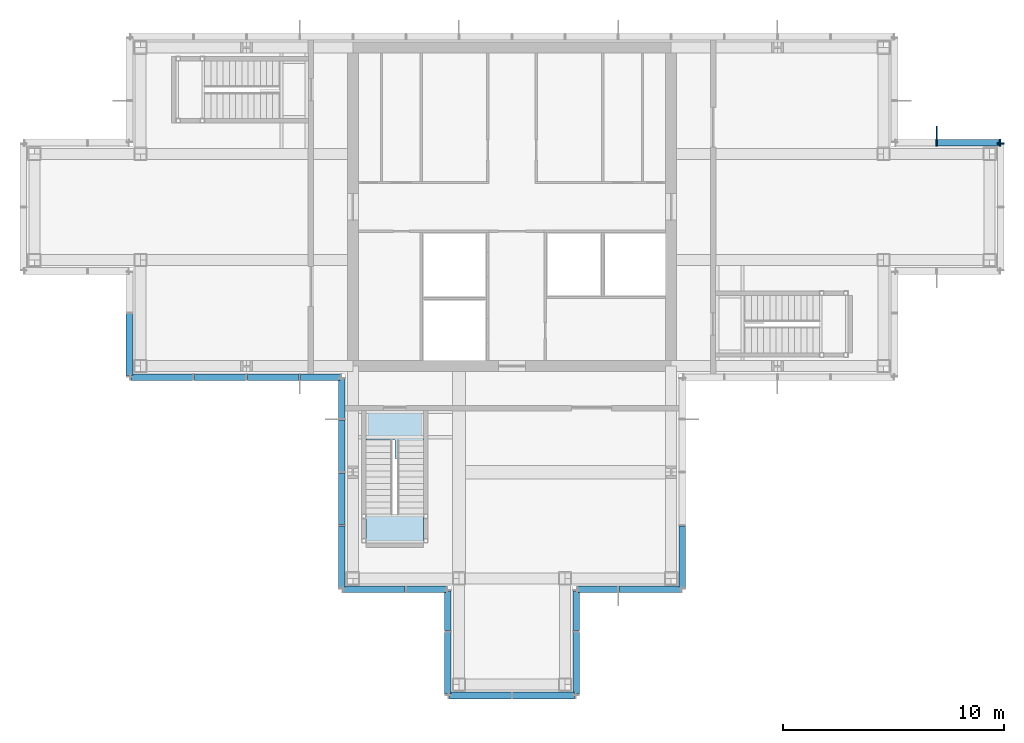
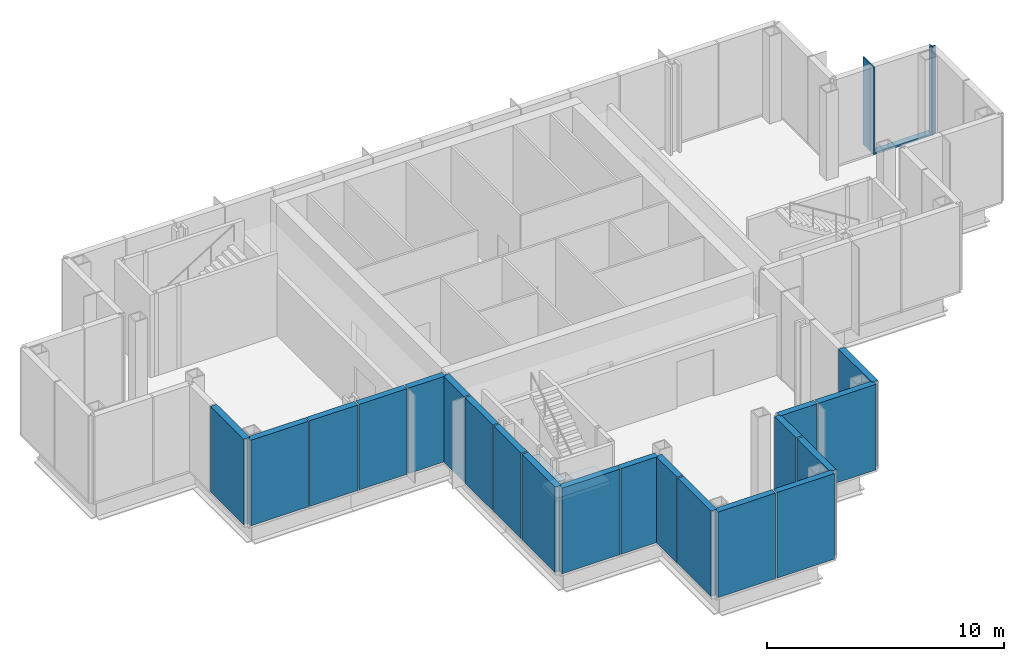
# One storey, part 8 of 12: 20 plates, 5 members, 2 slabs, 12 elements without a shape of their own.
"""IFC4 building model written with IfcOpenShell, lengths in metres."""

from ifc_helpers import new_model, si_unit, direction, frame, origin, origin_2d, place, context, subcontext, project, spatial, polyline, rectangle, outline, extrude, material, layer, layer_set, material_profile, profile_set, type_object, element, aggregate, save


model = new_model("IFC4")

# Units and contexts
model_context = context("Model", 3, precision=1e-05, world=origin(), true_north=direction((0.0, 1.0)))
body_context = subcontext(model_context, "Body", "Model", "MODEL_VIEW")
ifc_project = project(units=[si_unit("LENGTHUNIT", "METRE"), si_unit("AREAUNIT", "SQUARE_METRE"), si_unit("VOLUMEUNIT", "CUBIC_METRE"), si_unit("PLANEANGLEUNIT", "RADIAN"), si_unit("MASSUNIT", "GRAM", prefix="KILO")], contexts=[model_context])

# Site, building, storey
site_placement = place(None, origin())
site = spatial("IfcSite", under=ifc_project, at=site_placement, CompositionType="ELEMENT")
building_placement = place(site_placement, origin())
building = spatial("IfcBuilding", under=site, at=building_placement, Name="Kvirike Care Tower", CompositionType="ELEMENT")
storey_placement = place(building_placement, frame((0.0, 0.0, 243.5)))
storey = spatial("IfcBuildingStorey", under=building, at=storey_placement, Name="L67", CompositionType="ELEMENT", Elevation=243.5)

# Curtain wall, member
ifc_material_1 = material(Name="Anodised aluminium stick system", Category="aluminium")
curtain_wall_type = type_object("IfcCurtainWallType", Name="CW-L LOUVRED PLANT SCREEN", PredefinedType="NOTDEFINED", material=ifc_material_1)
curtain_wall_1_placement = place(storey_placement, origin())
curtain_wall_1 = element("IfcCurtainWall", 1, at=curtain_wall_1_placement, inside=storey, type_object=curtain_wall_type, Name="Curtain wall L67 face 5", PredefinedType="NOTDEFINED")
ifc_material_2 = material(Name="Bronze anodised aluminium fin", Category="aluminium")
ifc_material_profile_1 = material_profile(ifc_material_2, rectangle(XDim=0.050048828125, YDim=0.60009765625, at=origin_2d()), Name="BRONZE FIN 600")
ifc_profile_set_1 = profile_set([ifc_material_profile_1], Name="Bronze anodised aluminium fin")
member_type_1 = type_object("IfcMemberType", Name="BRONZE FIN 600", PredefinedType="USERDEFINED", material=ifc_profile_set_1)
member_1_placement = place(storey_placement, frame((40.800048828125, 39.35009765625, 0.0), z_axis=(0.0, 0.0, 1.0), x_axis=(-1.0, 0.0, 0.0)))
member_1 = element("IfcMember", 2, at=member_1_placement, type_object=member_type_1, Name="Bronze fin L67 face 5.2", ObjectType="FIN", PredefinedType="USERDEFINED", context=body_context, shape_type="SweptSolid", body=[
    extrude(rectangle(XDim=0.050048828125, YDim=0.60009765625, at=origin_2d()), origin(), (0.0, 0.0, 1.0), 4.5),
])

curtain_wall_2_placement = place(storey_placement, origin())
curtain_wall_2 = element("IfcCurtainWall", 3, at=curtain_wall_2_placement, inside=storey, type_object=curtain_wall_type, Name="Curtain wall L67 face 4", PredefinedType="NOTDEFINED")
ifc_material_3 = material(Name="Bronze anodised aluminium mullion", Category="aluminium")
ifc_material_profile_2 = material_profile(ifc_material_3, rectangle(XDim=0.06494140625, YDim=0.300048828125, at=origin_2d()), Name="CW-L MULLION 65x300")
ifc_profile_set_2 = profile_set([ifc_material_profile_2], Name="Bronze anodised aluminium mullion")
member_type_2 = type_object("IfcMemberType", Name="CW-L MULLION 65x300", PredefinedType="MULLION", material=ifc_profile_set_2)
member_2_placement = place(storey_placement, frame((43.699951171875, 38.867431640625, 0.0), z_axis=(0.0, 0.0, 1.0), x_axis=(0.0, 1.0, 0.0)))
member_2 = element("IfcMember", 4, at=member_2_placement, type_object=member_type_2, Name="CW-L mullion L67 face 4.3", PredefinedType="MULLION", context=body_context, shape_type="SweptSolid", body=[
    extrude(rectangle(XDim=0.06494140625, YDim=0.300048828125, at=origin_2d()), origin(), (0.0, 0.0, 1.0), 4.5),
])
aggregate(curtain_wall_2, [member_2])

# Member
member_3_placement = place(storey_placement, frame((43.66748046875, 38.89990234375, 0.0), z_axis=(0.0, 0.0, 1.0), x_axis=(-1.0, 0.0, 0.0)))
member_3 = element("IfcMember", 5, at=member_3_placement, type_object=member_type_2, Name="CW-L mullion L67 face 5.1", PredefinedType="MULLION", context=body_context, shape_type="SweptSolid", body=[
    extrude(rectangle(XDim=0.06494140625, YDim=0.300048828125, at=origin_2d()), origin(), (0.0, 0.0, 1.0), 4.5),
])

member_4_placement = place(storey_placement, frame((40.800048828125, 38.89990234375, 0.0), z_axis=(0.0, 0.0, 1.0), x_axis=(-1.0, 0.0, 0.0)))
member_4 = element("IfcMember", 6, at=member_4_placement, type_object=member_type_2, Name="CW-L mullion L67 face 5.2", PredefinedType="MULLION", context=body_context, shape_type="SweptSolid", body=[
    extrude(rectangle(XDim=0.06494140625, YDim=0.300048828125, at=origin_2d()), origin(), (0.0, 0.0, 1.0), 4.5),
])

ifc_material_4 = material(Name="Bronze anodised aluminium transom", Category="aluminium")
ifc_material_profile_3 = material_profile(ifc_material_4, rectangle(XDim=0.300048828125, YDim=0.10009765625, at=origin_2d()), Name="CW-L TRANSOM 300x100")
ifc_profile_set_3 = profile_set([ifc_material_profile_3], Name="Bronze anodised aluminium transom")
member_type_3 = type_object("IfcMemberType", Name="CW-L TRANSOM 300x100", PredefinedType="USERDEFINED", material=ifc_profile_set_3)
member_5_placement = place(storey_placement, frame((43.635009765625, 38.89990234375, 0.050048828125), z_axis=(-1.0, 0.0, 0.0), x_axis=(0.0, -1.0, 0.0)))
member_5 = element("IfcMember", 7, at=member_5_placement, type_object=member_type_3, Name="CW-L sill transom L67 face 5.1", ObjectType="TRANSOM", PredefinedType="USERDEFINED", context=body_context, shape_type="SweptSolid", body=[
    extrude(rectangle(XDim=0.300048828125, YDim=0.10009765625, at=origin_2d()), origin(), (0.0, 0.0, 1.0), 2.802490234375),
])

aggregate(curtain_wall_1, [member_3, member_4, member_1, member_5])

# Curtain wall, plate
curtain_wall_3_placement = place(storey_placement, origin())
curtain_wall_3 = element("IfcCurtainWall", 8, at=curtain_wall_3_placement, inside=storey, type_object=curtain_wall_type, Name="Curtain wall L67 face 12", PredefinedType="NOTDEFINED")
ifc_material_5 = material(Name="Bronze anodised aluminium louvre", Category="aluminium")
ifc_layer_1 = layer(ifc_material_5, 0.300048828125)
ifc_layer_set_1 = layer_set([ifc_layer_1], Name="BRONZE LOUVRE PANEL")
plate_type = type_object("IfcPlateType", Name="BRONZE LOUVRE PANEL", PredefinedType="CURTAIN_PANEL", material=ifc_layer_set_1)
plate_1_placement = place(storey_placement, frame((4.300048828125, 29.766357421875, 0.10009765625), z_axis=(0.0, 0.0, 1.0), x_axis=(0.0, -1.0, 0.0)))
plate_1 = element("IfcPlate", 9, at=plate_1_placement, type_object=plate_type, Name="CW-L panel L67 face 12.2", PredefinedType="CURTAIN_PANEL", context=body_context, shape_type="SweptSolid", body=[
    extrude(rectangle(XDim=2.802490234375, YDim=0.300048828125, at=origin_2d()), origin(), (0.0, 0.0, 1.0), 4.39990234375),
])
aggregate(curtain_wall_3, [plate_1])

# Curtain wall, plates
curtain_wall_4_placement = place(storey_placement, origin())
curtain_wall_4 = element("IfcCurtainWall", 10, at=curtain_wall_4_placement, inside=storey, type_object=curtain_wall_type, Name="Curtain wall L67 face 13", PredefinedType="NOTDEFINED")
plate_2_placement = place(storey_placement, frame((5.766357421875, 28.300048828125, 0.10009765625), z_axis=(0.0, 0.0, 1.0), x_axis=(1.0, 0.0, 0.0)))
plate_2 = element("IfcPlate", 11, at=plate_2_placement, type_object=plate_type, Name="CW-L panel L67 face 13.1", PredefinedType="CURTAIN_PANEL", context=body_context, shape_type="SweptSolid", body=[
    extrude(rectangle(XDim=2.802490234375, YDim=0.300048828125, at=origin_2d()), origin(), (0.0, 0.0, 1.0), 4.39990234375),
])
plate_3_placement = place(storey_placement, frame((8.39990234375, 28.300048828125, 0.10009765625), z_axis=(0.0, 0.0, 1.0), x_axis=(1.0, 0.0, 0.0)))
plate_3 = element("IfcPlate", 12, at=plate_3_placement, type_object=plate_type, Name="CW-L panel L67 face 13.2", PredefinedType="CURTAIN_PANEL", context=body_context, shape_type="SweptSolid", body=[
    extrude(rectangle(XDim=2.3349609375, YDim=0.300048828125, at=origin_2d()), origin(), (0.0, 0.0, 1.0), 4.39990234375),
])
plate_4_placement = place(storey_placement, frame((10.800048828125, 28.300048828125, 0.10009765625), z_axis=(0.0, 0.0, 1.0), x_axis=(1.0, 0.0, 0.0)))
plate_4 = element("IfcPlate", 13, at=plate_4_placement, type_object=plate_type, Name="CW-L panel L67 face 13.3", PredefinedType="CURTAIN_PANEL", context=body_context, shape_type="SweptSolid", body=[
    extrude(rectangle(XDim=2.3349609375, YDim=0.300048828125, at=origin_2d()), origin(), (0.0, 0.0, 1.0), 4.39990234375),
])
plate_5_placement = place(storey_placement, frame((12.933837890625, 28.300048828125, 0.10009765625), z_axis=(0.0, 0.0, 1.0), x_axis=(1.0, 0.0, 0.0)))
plate_5 = element("IfcPlate", 14, at=plate_5_placement, type_object=plate_type, Name="CW-L panel L67 face 13.4", PredefinedType="CURTAIN_PANEL", context=body_context, shape_type="SweptSolid", body=[
    extrude(rectangle(XDim=1.802490234375, YDim=0.300048828125, at=origin_2d()), origin(), (0.0, 0.0, 1.0), 4.39990234375),
])
aggregate(curtain_wall_4, [plate_2, plate_3, plate_4, plate_5])

curtain_wall_5_placement = place(storey_placement, origin())
curtain_wall_5 = element("IfcCurtainWall", 15, at=curtain_wall_5_placement, inside=storey, type_object=curtain_wall_type, Name="Curtain wall L67 face 14", PredefinedType="NOTDEFINED")
plate_6_placement = place(storey_placement, frame((13.89990234375, 27.333740234375, 0.10009765625), z_axis=(0.0, 0.0, 1.0), x_axis=(0.0, -1.0, 0.0)))
plate_6 = element("IfcPlate", 16, at=plate_6_placement, type_object=plate_type, Name="CW-L panel L67 face 14.1", PredefinedType="CURTAIN_PANEL", context=body_context, shape_type="SweptSolid", body=[
    extrude(rectangle(XDim=1.802490234375, YDim=0.300048828125, at=origin_2d()), origin(), (0.0, 0.0, 1.0), 4.39990234375),
])
plate_7_placement = place(storey_placement, frame((13.89990234375, 25.199951171875, 0.10009765625), z_axis=(0.0, 0.0, 1.0), x_axis=(0.0, -1.0, 0.0)))
plate_7 = element("IfcPlate", 17, at=plate_7_placement, type_object=plate_type, Name="CW-L panel L67 face 14.2", PredefinedType="CURTAIN_PANEL", context=body_context, shape_type="SweptSolid", body=[
    extrude(rectangle(XDim=2.3349609375, YDim=0.300048828125, at=origin_2d()), origin(), (0.0, 0.0, 1.0), 4.39990234375),
])
plate_8_placement = place(storey_placement, frame((13.89990234375, 22.800048828125, 0.10009765625), z_axis=(0.0, 0.0, 1.0), x_axis=(0.0, -1.0, 0.0)))
plate_8 = element("IfcPlate", 18, at=plate_8_placement, type_object=plate_type, Name="CW-L panel L67 face 14.3", PredefinedType="CURTAIN_PANEL", context=body_context, shape_type="SweptSolid", body=[
    extrude(rectangle(XDim=2.3349609375, YDim=0.300048828125, at=origin_2d()), origin(), (0.0, 0.0, 1.0), 4.39990234375),
])
plate_9_placement = place(storey_placement, frame((13.89990234375, 20.166259765625, 0.10009765625), z_axis=(0.0, 0.0, 1.0), x_axis=(0.0, -1.0, 0.0)))
plate_9 = element("IfcPlate", 19, at=plate_9_placement, type_object=plate_type, Name="CW-L panel L67 face 14.4", PredefinedType="CURTAIN_PANEL", context=body_context, shape_type="SweptSolid", body=[
    extrude(rectangle(XDim=2.802490234375, YDim=0.300048828125, at=origin_2d()), origin(), (0.0, 0.0, 1.0), 4.39990234375),
])
aggregate(curtain_wall_5, [plate_6, plate_7, plate_8, plate_9])

curtain_wall_6_placement = place(storey_placement, origin())
curtain_wall_6 = element("IfcCurtainWall", 20, at=curtain_wall_6_placement, inside=storey, type_object=curtain_wall_type, Name="Curtain wall L67 face 15", PredefinedType="NOTDEFINED")
plate_10_placement = place(storey_placement, frame((15.3662109375, 18.699951171875, 0.10009765625), z_axis=(0.0, 0.0, 1.0), x_axis=(1.0, 0.0, 0.0)))
plate_10 = element("IfcPlate", 21, at=plate_10_placement, type_object=plate_type, Name="CW-L panel L67 face 15.1", PredefinedType="CURTAIN_PANEL", context=body_context, shape_type="SweptSolid", body=[
    extrude(rectangle(XDim=2.802490234375, YDim=0.300048828125, at=origin_2d()), origin(), (0.0, 0.0, 1.0), 4.39990234375),
])
plate_11_placement = place(storey_placement, frame((17.733642578125, 18.699951171875, 0.10009765625), z_axis=(0.0, 0.0, 1.0), x_axis=(1.0, 0.0, 0.0)))
plate_11 = element("IfcPlate", 22, at=plate_11_placement, type_object=plate_type, Name="CW-L panel L67 face 15.2", PredefinedType="CURTAIN_PANEL", context=body_context, shape_type="SweptSolid", body=[
    extrude(rectangle(XDim=1.802490234375, YDim=0.300048828125, at=origin_2d()), origin(), (0.0, 0.0, 1.0), 4.39990234375),
])
aggregate(curtain_wall_6, [plate_10, plate_11])

curtain_wall_7_placement = place(storey_placement, origin())
curtain_wall_7 = element("IfcCurtainWall", 23, at=curtain_wall_7_placement, inside=storey, type_object=curtain_wall_type, Name="Curtain wall L67 face 16", PredefinedType="NOTDEFINED")
plate_12_placement = place(storey_placement, frame((18.699951171875, 17.733642578125, 0.10009765625), z_axis=(0.0, 0.0, 1.0), x_axis=(0.0, -1.0, 0.0)))
plate_12 = element("IfcPlate", 24, at=plate_12_placement, type_object=plate_type, Name="CW-L panel L67 face 16.1", PredefinedType="CURTAIN_PANEL", context=body_context, shape_type="SweptSolid", body=[
    extrude(rectangle(XDim=1.802490234375, YDim=0.300048828125, at=origin_2d()), origin(), (0.0, 0.0, 1.0), 4.39990234375),
])
plate_13_placement = place(storey_placement, frame((18.699951171875, 15.3662109375, 0.10009765625), z_axis=(0.0, 0.0, 1.0), x_axis=(0.0, -1.0, 0.0)))
plate_13 = element("IfcPlate", 25, at=plate_13_placement, type_object=plate_type, Name="CW-L panel L67 face 16.2", PredefinedType="CURTAIN_PANEL", context=body_context, shape_type="SweptSolid", body=[
    extrude(rectangle(XDim=2.802490234375, YDim=0.300048828125, at=origin_2d()), origin(), (0.0, 0.0, 1.0), 4.39990234375),
])
aggregate(curtain_wall_7, [plate_12, plate_13])

curtain_wall_8_placement = place(storey_placement, origin())
curtain_wall_8 = element("IfcCurtainWall", 26, at=curtain_wall_8_placement, inside=storey, type_object=curtain_wall_type, Name="Curtain wall L67 face 17", PredefinedType="NOTDEFINED")
plate_14_placement = place(storey_placement, frame((20.166259765625, 13.89990234375, 0.10009765625), z_axis=(0.0, 0.0, 1.0), x_axis=(1.0, 0.0, 0.0)))
plate_14 = element("IfcPlate", 27, at=plate_14_placement, type_object=plate_type, Name="CW-L panel L67 face 17.1", PredefinedType="CURTAIN_PANEL", context=body_context, shape_type="SweptSolid", body=[
    extrude(rectangle(XDim=2.802490234375, YDim=0.300048828125, at=origin_2d()), origin(), (0.0, 0.0, 1.0), 4.39990234375),
])
plate_15_placement = place(storey_placement, frame((23.03369140625, 13.89990234375, 0.10009765625), z_axis=(0.0, 0.0, 1.0), x_axis=(1.0, 0.0, 0.0)))
plate_15 = element("IfcPlate", 28, at=plate_15_placement, type_object=plate_type, Name="CW-L panel L67 face 17.2", PredefinedType="CURTAIN_PANEL", context=body_context, shape_type="SweptSolid", body=[
    extrude(rectangle(XDim=2.802490234375, YDim=0.300048828125, at=origin_2d()), origin(), (0.0, 0.0, 1.0), 4.39990234375),
])
aggregate(curtain_wall_8, [plate_14, plate_15])

curtain_wall_9_placement = place(storey_placement, origin())
curtain_wall_9 = element("IfcCurtainWall", 29, at=curtain_wall_9_placement, inside=storey, type_object=curtain_wall_type, Name="Curtain wall L67 face 18", PredefinedType="NOTDEFINED")
plate_16_placement = place(storey_placement, frame((24.5, 15.3662109375, 0.10009765625), z_axis=(0.0, 0.0, 1.0), x_axis=(0.0, 1.0, 0.0)))
plate_16 = element("IfcPlate", 30, at=plate_16_placement, type_object=plate_type, Name="CW-L panel L67 face 18.1", PredefinedType="CURTAIN_PANEL", context=body_context, shape_type="SweptSolid", body=[
    extrude(rectangle(XDim=2.802490234375, YDim=0.300048828125, at=origin_2d()), origin(), (0.0, 0.0, 1.0), 4.39990234375),
])
plate_17_placement = place(storey_placement, frame((24.5, 17.733642578125, 0.10009765625), z_axis=(0.0, 0.0, 1.0), x_axis=(0.0, 1.0, 0.0)))
plate_17 = element("IfcPlate", 31, at=plate_17_placement, type_object=plate_type, Name="CW-L panel L67 face 18.2", PredefinedType="CURTAIN_PANEL", context=body_context, shape_type="SweptSolid", body=[
    extrude(rectangle(XDim=1.802490234375, YDim=0.300048828125, at=origin_2d()), origin(), (0.0, 0.0, 1.0), 4.39990234375),
])
aggregate(curtain_wall_9, [plate_16, plate_17])

curtain_wall_10_placement = place(storey_placement, origin())
curtain_wall_10 = element("IfcCurtainWall", 32, at=curtain_wall_10_placement, inside=storey, type_object=curtain_wall_type, Name="Curtain wall L67 face 19", PredefinedType="NOTDEFINED")
plate_18_placement = place(storey_placement, frame((25.46630859375, 18.699951171875, 0.10009765625), z_axis=(0.0, 0.0, 1.0), x_axis=(1.0, 0.0, 0.0)))
plate_18 = element("IfcPlate", 33, at=plate_18_placement, type_object=plate_type, Name="CW-L panel L67 face 19.1", PredefinedType="CURTAIN_PANEL", context=body_context, shape_type="SweptSolid", body=[
    extrude(rectangle(XDim=1.802490234375, YDim=0.300048828125, at=origin_2d()), origin(), (0.0, 0.0, 1.0), 4.39990234375),
])
plate_19_placement = place(storey_placement, frame((27.833740234375, 18.699951171875, 0.10009765625), z_axis=(0.0, 0.0, 1.0), x_axis=(1.0, 0.0, 0.0)))
plate_19 = element("IfcPlate", 34, at=plate_19_placement, type_object=plate_type, Name="CW-L panel L67 face 19.2", PredefinedType="CURTAIN_PANEL", context=body_context, shape_type="SweptSolid", body=[
    extrude(rectangle(XDim=2.802490234375, YDim=0.300048828125, at=origin_2d()), origin(), (0.0, 0.0, 1.0), 4.39990234375),
])
aggregate(curtain_wall_10, [plate_18, plate_19])

# Curtain wall, plate
curtain_wall_11_placement = place(storey_placement, origin())
curtain_wall_11 = element("IfcCurtainWall", 35, at=curtain_wall_11_placement, inside=storey, type_object=curtain_wall_type, Name="Curtain wall L67 face 20", PredefinedType="NOTDEFINED")
plate_20_placement = place(storey_placement, frame((29.300048828125, 20.166259765625, 0.10009765625), z_axis=(0.0, 0.0, 1.0), x_axis=(0.0, 1.0, 0.0)))
plate_20 = element("IfcPlate", 36, at=plate_20_placement, type_object=plate_type, Name="CW-L panel L67 face 20.1", PredefinedType="CURTAIN_PANEL", context=body_context, shape_type="SweptSolid", body=[
    extrude(rectangle(XDim=2.802490234375, YDim=0.300048828125, at=origin_2d()), origin(), (0.0, 0.0, 1.0), 4.39990234375),
])
aggregate(curtain_wall_11, [plate_20])

# Stair, slabs
ifc_material_6 = material(Name="Concrete C35/45", Category="concrete")
stair_type = type_object("IfcStairType", Name="STAIR 26 RISERS", PredefinedType="HALF_TURN_STAIR", material=ifc_material_6)
stair_placement = place(storey_placement, origin())
stair = element("IfcStair", 37, at=stair_placement, inside=storey, type_object=stair_type, Name="Stair 5 L67", PredefinedType="HALF_TURN_STAIR")
ifc_material_7 = material(Name="Concrete C35/45", Category="concrete")
ifc_layer_2 = layer(ifc_material_7, 0.199951171875)
ifc_layer_set_2 = layer_set([ifc_layer_2], Name="STAIR LANDING 200")
slab_type_1 = type_object("IfcSlabType", Name="STAIR LANDING 200", PredefinedType="LANDING", material=ifc_layer_set_2)
slab_1_placement = place(storey_placement, frame((0.0, 0.0, 2.050048828125)))
slab_1 = element("IfcSlab", 38, at=slab_1_placement, type_object=slab_type_1, Name="Stair S5 half landing L67-L68", PredefinedType="LANDING", context=body_context, shape_type="SweptSolid", body=[
    extrude(outline(polyline([(15.0, 20.800048828125), (17.60009765625, 20.800048828125), (17.60009765625, 22.10009765625), (15.0, 22.10009765625), (15.0, 20.800048828125)])), origin(), (0.0, 0.0, 1.0), 0.199951171875),
])
ifc_material_8 = material(Name="Concrete C35/45", Category="concrete")
ifc_layer_3 = layer(ifc_material_8, 0.25)
ifc_layer_set_3 = layer_set([ifc_layer_3], Name="STAIR LANDING 250")
slab_type_2 = type_object("IfcSlabType", Name="STAIR LANDING 250", PredefinedType="LANDING", material=ifc_layer_set_3)
slab_2_placement = place(storey_placement, frame((0.0, 0.0, -0.25)))
slab_2 = element("IfcSlab", 39, at=slab_2_placement, type_object=slab_type_2, Name="Stair S5 floor landing L67", PredefinedType="LANDING", context=body_context, shape_type="SweptSolid", body=[
    extrude(outline(polyline([(15.0, 25.4599609375), (16.300048828125, 25.4599609375), (16.300048828125, 24.6201171875), (17.60009765625, 24.6201171875), (17.60009765625, 26.800048828125), (15.0, 26.800048828125), (15.0, 25.4599609375)])), origin(), (0.0, 0.0, 1.0), 0.25),
])
aggregate(stair, [slab_2, slab_1])

save(model, "model.ifc")
